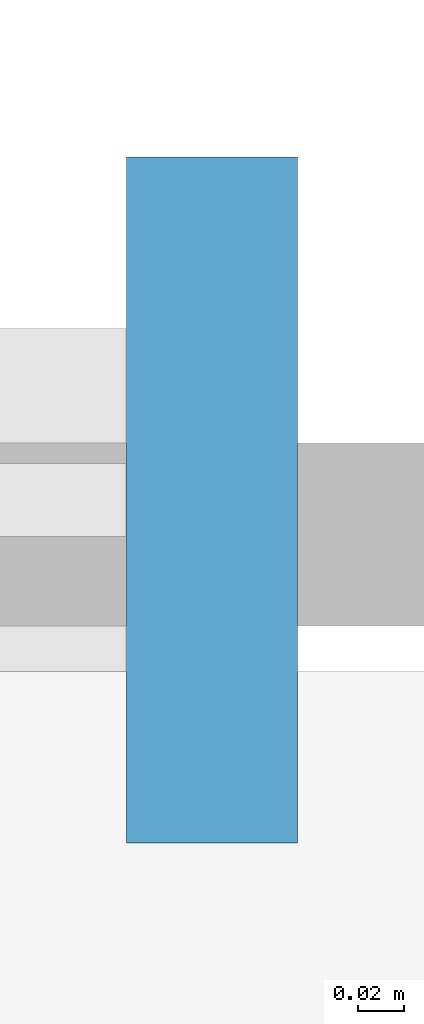
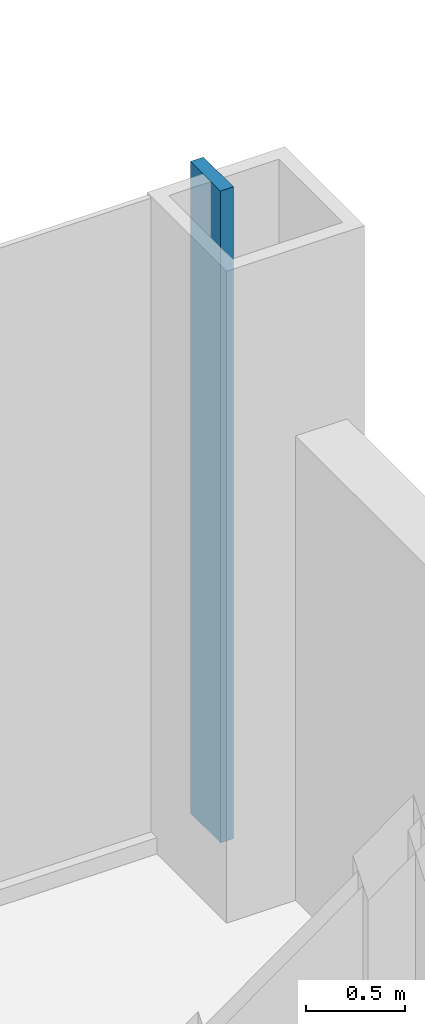
# One storey, part 5 of 17: 1 member, 1 element without a shape of its own.
"""IFC4 building model written with IfcOpenShell, lengths in metres."""

from ifc_helpers import new_model, si_unit, direction, frame, origin, origin_2d, place, context, subcontext, project, spatial, rectangle, extrude, material, layer, layer_set, material_profile, profile_set, type_object, element, aggregate, save


model = new_model("IFC4")

# Units and contexts
model_context = context("Model", 3, precision=1e-05, world=origin(), true_north=direction((0.0, 1.0)))
body_context = subcontext(model_context, "Body", "Model", "MODEL_VIEW")
ifc_project = project(units=[si_unit("LENGTHUNIT", "METRE"), si_unit("AREAUNIT", "SQUARE_METRE"), si_unit("VOLUMEUNIT", "CUBIC_METRE"), si_unit("PLANEANGLEUNIT", "RADIAN"), si_unit("MASSUNIT", "GRAM", prefix="KILO")], contexts=[model_context])

# Site, building, storey
site_placement = place(None, origin())
site = spatial("IfcSite", under=ifc_project, at=site_placement, CompositionType="ELEMENT")
building_placement = place(site_placement, origin())
building = spatial("IfcBuilding", under=site, at=building_placement, Name="Malebo Sky Hospital", CompositionType="ELEMENT")
storey_placement = place(building_placement, frame((0.0, 0.0, 193.0)))
storey = spatial("IfcBuildingStorey", under=building, at=storey_placement, Name="L46", CompositionType="ELEMENT", Elevation=193.0)

# Curtain wall, member
ifc_material = material(Name="Anodised aluminium, natural silver", Category="aluminium")
ifc_layer = layer(ifc_material, 0.25)
ifc_layer_set = layer_set([ifc_layer], Name="WARD CURTAIN WALL NORTH AND SOUTH")
curtain_wall_type = type_object("IfcCurtainWallType", Name="WARD CURTAIN WALL NORTH AND SOUTH", PredefinedType="NOTDEFINED", material=ifc_layer_set)
curtain_wall_placement = place(storey_placement, origin())
curtain_wall = element("IfcCurtainWall", 1, at=curtain_wall_placement, inside=storey, type_object=curtain_wall_type, Name="NS curtain wall N", PredefinedType="NOTDEFINED")
ifc_material_profile = material_profile(ifc_material, rectangle(XDim=0.074951171875, YDim=0.300048828125, at=origin_2d()), Name="CW1 ALUMINIUM FIN MULLION 75x300")
ifc_profile_set = profile_set([ifc_material_profile], Name="Anodised aluminium, natural silver")
member_type = type_object("IfcMemberType", Name="CW1 ALUMINIUM FIN MULLION 75x300", PredefinedType="MULLION", material=ifc_profile_set)
member_placement = place(storey_placement, frame((77.66259765625, 84.574951171875, 0.0), z_axis=(0.0, 0.0, 1.0), x_axis=(1.0, 0.0, 0.0)))
member = element("IfcMember", 2, at=member_placement, type_object=member_type, Name="Fin mullion 14", PredefinedType="MULLION", context=body_context, shape_type="SweptSolid", body=[
    extrude(rectangle(XDim=0.074951171875, YDim=0.300048828125, at=origin_2d()), origin(), (0.0, 0.0, 1.0), 4.0),
])
aggregate(curtain_wall, [member])

save(model, "model.ifc")
